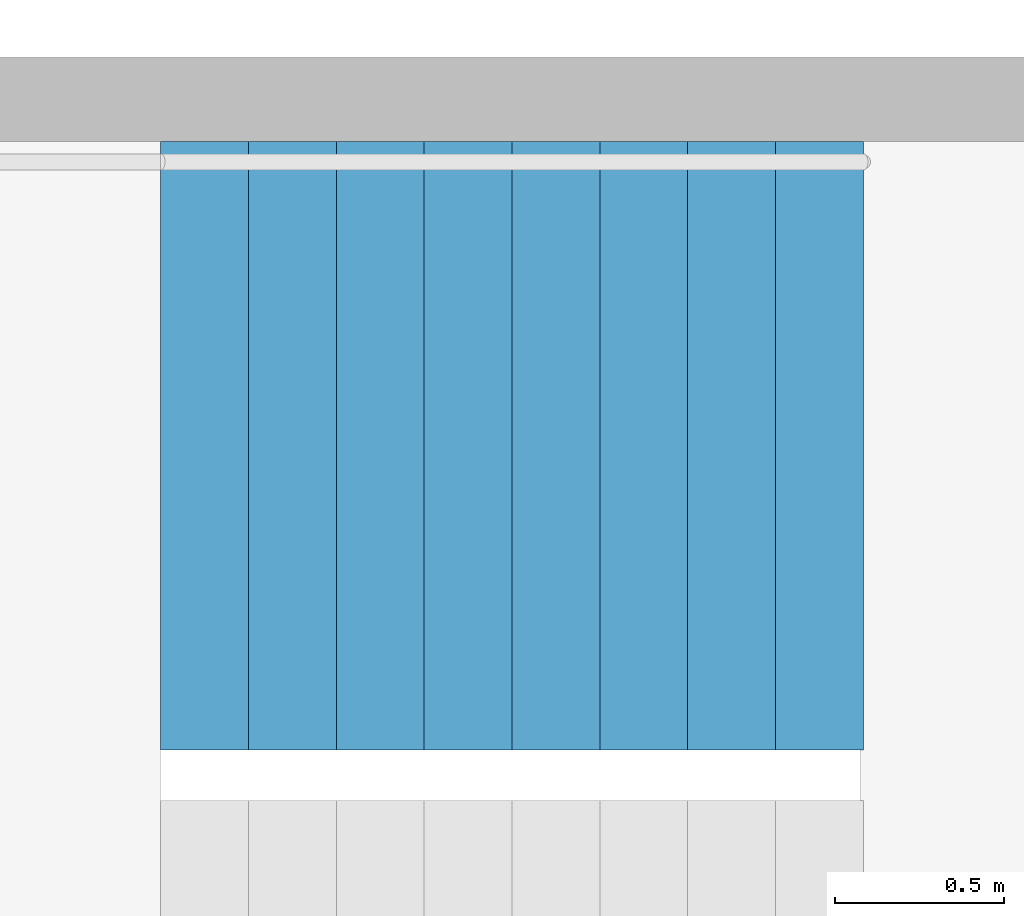
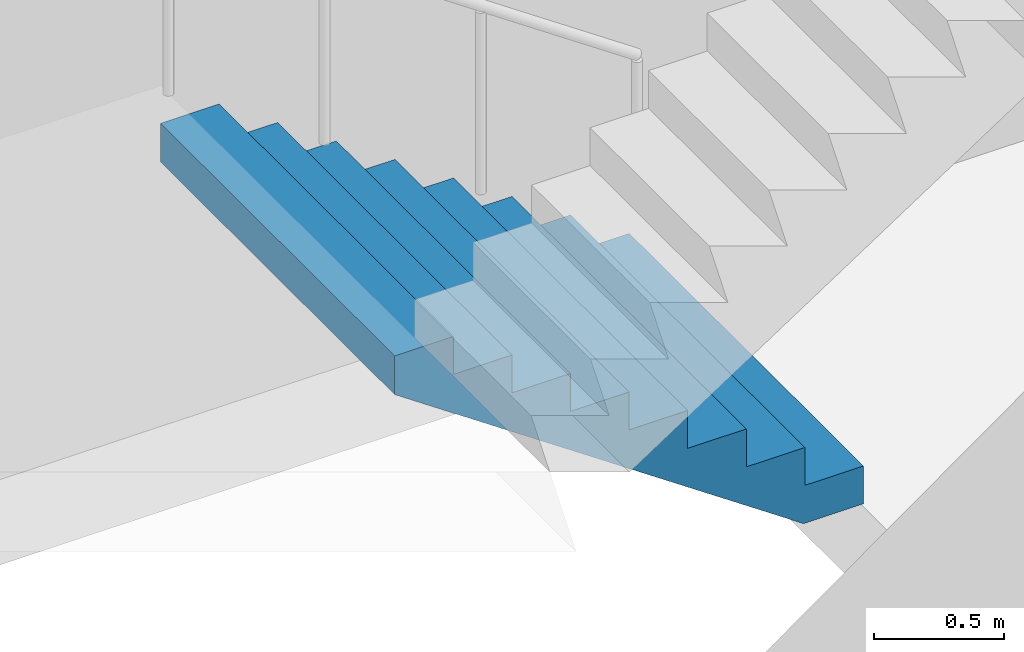
# One storey, part 22 of 29: 1 stair flight, 1 element without a shape of its own.
"""IFC4 building model written with IfcOpenShell, lengths in metres."""

from ifc_helpers import new_model, si_unit, direction, frame, origin, place, context, subcontext, project, spatial, triangles, material, type_object, element, aggregate, save


model = new_model("IFC4")

# Units and contexts
model_context = context("Model", 3, precision=1e-05, world=origin(), true_north=direction((0.0, 1.0)))
body_context = subcontext(model_context, "Body", "Model", "MODEL_VIEW")
ifc_project = project(units=[si_unit("LENGTHUNIT", "METRE"), si_unit("AREAUNIT", "SQUARE_METRE"), si_unit("VOLUMEUNIT", "CUBIC_METRE"), si_unit("PLANEANGLEUNIT", "RADIAN"), si_unit("MASSUNIT", "GRAM", prefix="KILO")], contexts=[model_context])

# Site, building, storey
site_placement = place(None, origin())
site = spatial("IfcSite", under=ifc_project, at=site_placement, CompositionType="ELEMENT")
building_placement = place(site_placement, origin())
building = spatial("IfcBuilding", under=site, at=building_placement, Name="Hakoniwa Tower and Hamabe Station Hall", CompositionType="ELEMENT")
storey_placement = place(building_placement, frame((0.0, 0.0, 110.60009765625)))
storey = spatial("IfcBuildingStorey", under=building, at=storey_placement, Name="L31", CompositionType="ELEMENT", Elevation=110.60009765625)

# Stair, stair flight
ifc_material_1 = material(Name="Concrete C40", Category="concrete")
stair_type = type_object("IfcStairType", Name="ESCAPE STAIR 1800", PredefinedType="HALF_TURN_STAIR", material=ifc_material_1)
stair_placement = place(storey_placement, origin())
stair = element("IfcStair", 1, at=stair_placement, inside=storey, type_object=stair_type, Name="Escape stair ST-2 L31", PredefinedType="HALF_TURN_STAIR")
ifc_material_2 = material(Name="Concrete C40", Category="concrete")
stair_flight_type = type_object("IfcStairFlightType", Name="STAIR FLIGHT 1800", PredefinedType="STRAIGHT", material=ifc_material_2)
stair_flight_placement = place(storey_placement, frame((-23.39990234375, -4.64990234375, 0.0), z_axis=(0.0, 0.0, 1.0), x_axis=(-1.0, 0.0, 0.0)))
stair_flight = element("IfcStairFlight", 2, at=stair_flight_placement, type_object=stair_flight_type, Name="ST-2 flight 1", NumberOfRisers=9, NumberOfTreads=8, PredefinedType="STRAIGHT", RiserHeight=0.177777778, TreadLength=0.26, context=body_context, shape_type="Tessellation", body=[
    triangles([(0.0, 0.89990234375, 0.0), (0.260009765625, 0.89990234375, 0.0), (0.265625, 0.89990234375, 0.0), (0.52001953125, 0.89990234375, 0.174072265625), (0.780029296875, 0.89990234375, 0.351806640625), (1.0400390625, 0.89990234375, 0.529541015625), (1.300048828125, 0.89990234375, 0.707275390625), (1.56005859375, 0.89990234375, 0.885009765625), (1.820068359375, 0.89990234375, 1.062744140625), (2.080078125, 0.89990234375, 1.24072265625), (2.080078125, 0.89990234375, 1.422119140625), (1.820068359375, 0.89990234375, 1.422119140625), (1.820068359375, 0.89990234375, 1.244384765625), (1.56005859375, 0.89990234375, 1.244384765625), (1.56005859375, 0.89990234375, 1.066650390625), (1.300048828125, 0.89990234375, 1.066650390625), (1.300048828125, 0.89990234375, 0.888916015625), (1.0400390625, 0.89990234375, 0.888916015625), (1.0400390625, 0.89990234375, 0.711181640625), (0.780029296875, 0.89990234375, 0.711181640625), (0.780029296875, 0.89990234375, 0.533447265625), (0.52001953125, 0.89990234375, 0.533447265625), (0.52001953125, 0.89990234375, 0.35546875), (0.265625, 0.89990234375, 0.35546875), (0.260009765625, 0.89990234375, 0.35546875), (0.260009765625, 0.89990234375, 0.177734375), (0.0, 0.89990234375, 0.177734375), (0.0, 0.06005859375, 0.0), (0.260009765625, 0.06005859375, 0.0), (0.265625, 0.06005859375, 0.0), (0.52001953125, 0.06005859375, 0.174072265625), (0.780029296875, 0.06005859375, 0.351806640625), (1.0400390625, 0.06005859375, 0.529541015625), (1.300048828125, 0.06005859375, 0.707275390625), (1.56005859375, 0.06005859375, 0.885009765625), (1.820068359375, 0.06005859375, 1.062744140625), (2.080078125, 0.06005859375, 1.24072265625), (2.080078125, 0.06005859375, 1.422119140625), (1.820068359375, 0.06005859375, 1.422119140625), (1.820068359375, 0.06005859375, 1.244384765625), (1.56005859375, 0.06005859375, 1.244384765625), (1.56005859375, 0.06005859375, 1.066650390625), (1.300048828125, 0.06005859375, 1.066650390625), (1.300048828125, 0.06005859375, 0.888916015625), (1.0400390625, 0.06005859375, 0.888916015625), (1.0400390625, 0.06005859375, 0.711181640625), (0.780029296875, 0.06005859375, 0.711181640625), (0.780029296875, 0.06005859375, 0.533447265625), (0.52001953125, 0.06005859375, 0.533447265625), (0.52001953125, 0.06005859375, 0.35546875), (0.265625, 0.06005859375, 0.35546875), (0.260009765625, 0.06005859375, 0.35546875), (0.260009765625, 0.06005859375, 0.177734375), (0.0, 0.06005859375, 0.177734375), (0.0, 0.04296875, 0.0), (0.260009765625, 0.04296875, 0.0), (0.265625, 0.04296875, 0.0), (0.52001953125, 0.04296875, 0.174072265625), (0.780029296875, 0.04296875, 0.351806640625), (1.0400390625, 0.04296875, 0.529541015625), (1.300048828125, 0.04296875, 0.707275390625), (1.56005859375, 0.04296875, 0.885009765625), (1.820068359375, 0.04296875, 1.062744140625), (2.080078125, 0.04296875, 1.24072265625), (2.080078125, 0.04296875, 1.422119140625), (1.820068359375, 0.04296875, 1.422119140625), (1.820068359375, 0.04296875, 1.244384765625), (1.56005859375, 0.04296875, 1.244384765625), (1.56005859375, 0.04296875, 1.066650390625), (1.300048828125, 0.04296875, 1.066650390625), (1.300048828125, 0.04296875, 0.888916015625), (1.0400390625, 0.04296875, 0.888916015625), (1.0400390625, 0.04296875, 0.711181640625), (0.780029296875, 0.04296875, 0.711181640625), (0.780029296875, 0.04296875, 0.533447265625), (0.52001953125, 0.04296875, 0.533447265625), (0.52001953125, 0.04296875, 0.35546875), (0.265625, 0.04296875, 0.35546875), (0.260009765625, 0.04296875, 0.35546875), (0.260009765625, 0.04296875, 0.177734375), (0.0, 0.04296875, 0.177734375), (0.0, 0.025634765625, 0.0), (0.260009765625, 0.025634765625, 0.0), (0.265625, 0.025634765625, 0.0), (0.52001953125, 0.025634765625, 0.174072265625), (0.780029296875, 0.025634765625, 0.351806640625), (1.0400390625, 0.025634765625, 0.529541015625), (1.300048828125, 0.025634765625, 0.707275390625), (1.56005859375, 0.025634765625, 0.885009765625), (1.820068359375, 0.025634765625, 1.062744140625), (2.080078125, 0.025634765625, 1.24072265625), (2.080078125, 0.025634765625, 1.422119140625), (1.820068359375, 0.025634765625, 1.422119140625), (1.820068359375, 0.025634765625, 1.244384765625), (1.56005859375, 0.025634765625, 1.244384765625), (1.56005859375, 0.025634765625, 1.066650390625), (1.300048828125, 0.025634765625, 1.066650390625), (1.300048828125, 0.025634765625, 0.888916015625), (1.0400390625, 0.025634765625, 0.888916015625), (1.0400390625, 0.025634765625, 0.711181640625), (0.780029296875, 0.025634765625, 0.711181640625), (0.780029296875, 0.025634765625, 0.533447265625), (0.52001953125, 0.025634765625, 0.533447265625), (0.52001953125, 0.025634765625, 0.35546875), (0.265625, 0.025634765625, 0.35546875), (0.260009765625, 0.025634765625, 0.35546875), (0.260009765625, 0.025634765625, 0.177734375), (0.0, 0.025634765625, 0.177734375), (0.0, 0.008544921875, 0.0), (0.260009765625, 0.008544921875, 0.0), (0.265625, 0.008544921875, 0.0), (0.52001953125, 0.008544921875, 0.174072265625), (0.780029296875, 0.008544921875, 0.351806640625), (1.0400390625, 0.008544921875, 0.529541015625), (1.300048828125, 0.008544921875, 0.707275390625), (1.56005859375, 0.008544921875, 0.885009765625), (1.820068359375, 0.008544921875, 1.062744140625), (2.080078125, 0.008544921875, 1.24072265625), (2.080078125, 0.008544921875, 1.422119140625), (1.820068359375, 0.008544921875, 1.422119140625), (1.820068359375, 0.008544921875, 1.244384765625), (1.56005859375, 0.008544921875, 1.244384765625), (1.56005859375, 0.008544921875, 1.066650390625), (1.300048828125, 0.008544921875, 1.066650390625), (1.300048828125, 0.008544921875, 0.888916015625), (1.0400390625, 0.008544921875, 0.888916015625), (1.0400390625, 0.008544921875, 0.711181640625), (0.780029296875, 0.008544921875, 0.711181640625), (0.780029296875, 0.008544921875, 0.533447265625), (0.52001953125, 0.008544921875, 0.533447265625), (0.52001953125, 0.008544921875, 0.35546875), (0.265625, 0.008544921875, 0.35546875), (0.260009765625, 0.008544921875, 0.35546875), (0.260009765625, 0.008544921875, 0.177734375), (0.0, 0.008544921875, 0.177734375), (0.0, -0.008544921875, 0.0), (0.260009765625, -0.008544921875, 0.0), (0.265625, -0.008544921875, 0.0), (0.52001953125, -0.008544921875, 0.174072265625), (0.780029296875, -0.008544921875, 0.351806640625), (1.0400390625, -0.008544921875, 0.529541015625), (1.300048828125, -0.008544921875, 0.707275390625), (1.56005859375, -0.008544921875, 0.885009765625), (1.820068359375, -0.008544921875, 1.062744140625), (2.080078125, -0.008544921875, 1.24072265625), (2.080078125, -0.008544921875, 1.422119140625), (1.820068359375, -0.008544921875, 1.422119140625), (1.820068359375, -0.008544921875, 1.244384765625), (1.56005859375, -0.008544921875, 1.244384765625), (1.56005859375, -0.008544921875, 1.066650390625), (1.300048828125, -0.008544921875, 1.066650390625), (1.300048828125, -0.008544921875, 0.888916015625), (1.0400390625, -0.008544921875, 0.888916015625), (1.0400390625, -0.008544921875, 0.711181640625), (0.780029296875, -0.008544921875, 0.711181640625), (0.780029296875, -0.008544921875, 0.533447265625), (0.52001953125, -0.008544921875, 0.533447265625), (0.52001953125, -0.008544921875, 0.35546875), (0.265625, -0.008544921875, 0.35546875), (0.260009765625, -0.008544921875, 0.35546875), (0.260009765625, -0.008544921875, 0.177734375), (0.0, -0.008544921875, 0.177734375), (0.0, -0.025634765625, 0.0), (0.260009765625, -0.025634765625, 0.0), (0.265625, -0.025634765625, 0.0), (0.52001953125, -0.025634765625, 0.174072265625), (0.780029296875, -0.025634765625, 0.351806640625), (1.0400390625, -0.025634765625, 0.529541015625), (1.300048828125, -0.025634765625, 0.707275390625), (1.56005859375, -0.025634765625, 0.885009765625), (1.820068359375, -0.025634765625, 1.062744140625), (2.080078125, -0.025634765625, 1.24072265625), (2.080078125, -0.025634765625, 1.422119140625), (1.820068359375, -0.025634765625, 1.422119140625), (1.820068359375, -0.025634765625, 1.244384765625), (1.56005859375, -0.025634765625, 1.244384765625), (1.56005859375, -0.025634765625, 1.066650390625), (1.300048828125, -0.025634765625, 1.066650390625), (1.300048828125, -0.025634765625, 0.888916015625), (1.0400390625, -0.025634765625, 0.888916015625), (1.0400390625, -0.025634765625, 0.711181640625), (0.780029296875, -0.025634765625, 0.711181640625), (0.780029296875, -0.025634765625, 0.533447265625), (0.52001953125, -0.025634765625, 0.533447265625), (0.52001953125, -0.025634765625, 0.35546875), (0.265625, -0.025634765625, 0.35546875), (0.260009765625, -0.025634765625, 0.35546875), (0.260009765625, -0.025634765625, 0.177734375), (0.0, -0.025634765625, 0.177734375), (0.0, -0.04296875, 0.0), (0.260009765625, -0.04296875, 0.0), (0.265625, -0.04296875, 0.0), (0.52001953125, -0.04296875, 0.174072265625), (0.780029296875, -0.04296875, 0.351806640625), (1.0400390625, -0.04296875, 0.529541015625), (1.300048828125, -0.04296875, 0.707275390625), (1.56005859375, -0.04296875, 0.885009765625), (1.820068359375, -0.04296875, 1.062744140625), (2.080078125, -0.04296875, 1.24072265625), (2.080078125, -0.04296875, 1.422119140625), (1.820068359375, -0.04296875, 1.422119140625), (1.820068359375, -0.04296875, 1.244384765625), (1.56005859375, -0.04296875, 1.244384765625), (1.56005859375, -0.04296875, 1.066650390625), (1.300048828125, -0.04296875, 1.066650390625), (1.300048828125, -0.04296875, 0.888916015625), (1.0400390625, -0.04296875, 0.888916015625), (1.0400390625, -0.04296875, 0.711181640625), (0.780029296875, -0.04296875, 0.711181640625), (0.780029296875, -0.04296875, 0.533447265625), (0.52001953125, -0.04296875, 0.533447265625), (0.52001953125, -0.04296875, 0.35546875), (0.265625, -0.04296875, 0.35546875), (0.260009765625, -0.04296875, 0.35546875), (0.260009765625, -0.04296875, 0.177734375), (0.0, -0.04296875, 0.177734375), (0.0, -0.06005859375, 0.0), (0.260009765625, -0.06005859375, 0.0), (0.265625, -0.06005859375, 0.0), (0.52001953125, -0.06005859375, 0.174072265625), (0.780029296875, -0.06005859375, 0.351806640625), (1.0400390625, -0.06005859375, 0.529541015625), (1.300048828125, -0.06005859375, 0.707275390625), (1.56005859375, -0.06005859375, 0.885009765625), (1.820068359375, -0.06005859375, 1.062744140625), (2.080078125, -0.06005859375, 1.24072265625), (2.080078125, -0.06005859375, 1.422119140625), (1.820068359375, -0.06005859375, 1.422119140625), (1.820068359375, -0.06005859375, 1.244384765625), (1.56005859375, -0.06005859375, 1.244384765625), (1.56005859375, -0.06005859375, 1.066650390625), (1.300048828125, -0.06005859375, 1.066650390625), (1.300048828125, -0.06005859375, 0.888916015625), (1.0400390625, -0.06005859375, 0.888916015625), (1.0400390625, -0.06005859375, 0.711181640625), (0.780029296875, -0.06005859375, 0.711181640625), (0.780029296875, -0.06005859375, 0.533447265625), (0.52001953125, -0.06005859375, 0.533447265625), (0.52001953125, -0.06005859375, 0.35546875), (0.265625, -0.06005859375, 0.35546875), (0.260009765625, -0.06005859375, 0.35546875), (0.260009765625, -0.06005859375, 0.177734375), (0.0, -0.06005859375, 0.177734375), (0.0, -0.89990234375, 0.0), (0.260009765625, -0.89990234375, 0.0), (0.265625, -0.89990234375, 0.0), (0.52001953125, -0.89990234375, 0.174072265625), (0.780029296875, -0.89990234375, 0.351806640625), (1.0400390625, -0.89990234375, 0.529541015625), (1.300048828125, -0.89990234375, 0.707275390625), (1.56005859375, -0.89990234375, 0.885009765625), (1.820068359375, -0.89990234375, 1.062744140625), (2.080078125, -0.89990234375, 1.24072265625), (2.080078125, -0.89990234375, 1.422119140625), (1.820068359375, -0.89990234375, 1.422119140625), (1.820068359375, -0.89990234375, 1.244384765625), (1.56005859375, -0.89990234375, 1.244384765625), (1.56005859375, -0.89990234375, 1.066650390625), (1.300048828125, -0.89990234375, 1.066650390625), (1.300048828125, -0.89990234375, 0.888916015625), (1.0400390625, -0.89990234375, 0.888916015625), (1.0400390625, -0.89990234375, 0.711181640625), (0.780029296875, -0.89990234375, 0.711181640625), (0.780029296875, -0.89990234375, 0.533447265625), (0.52001953125, -0.89990234375, 0.533447265625), (0.52001953125, -0.89990234375, 0.35546875), (0.265625, -0.89990234375, 0.35546875), (0.260009765625, -0.89990234375, 0.35546875), (0.260009765625, -0.89990234375, 0.177734375), (0.0, -0.89990234375, 0.177734375)], [[2, 27, 26], [245, 269, 270], [2, 1, 27], [245, 270, 244], [3, 25, 24], [246, 267, 268], [3, 26, 25], [246, 268, 269], [3, 2, 26], [246, 269, 245], [4, 24, 23], [247, 266, 267], [4, 3, 24], [247, 267, 246], [5, 22, 21], [248, 264, 265], [5, 23, 22], [248, 265, 266], [5, 4, 23], [248, 266, 247], [6, 20, 19], [249, 262, 263], [6, 21, 20], [249, 263, 264], [6, 5, 21], [249, 264, 248], [7, 18, 17], [250, 260, 261], [7, 19, 18], [250, 261, 262], [7, 6, 19], [250, 262, 249], [8, 16, 15], [251, 258, 259], [8, 17, 16], [251, 259, 260], [8, 7, 17], [251, 260, 250], [9, 14, 13], [252, 256, 257], [9, 15, 14], [252, 257, 258], [9, 8, 15], [252, 258, 251], [10, 12, 11], [253, 254, 255], [10, 13, 12], [253, 255, 256], [10, 9, 13], [253, 256, 252], [1, 2, 29], [1, 29, 28], [28, 29, 56], [28, 56, 55], [55, 56, 83], [55, 83, 82], [82, 83, 110], [82, 110, 109], [109, 110, 137], [109, 137, 136], [136, 137, 164], [136, 164, 163], [163, 164, 191], [163, 191, 190], [190, 191, 218], [190, 218, 217], [217, 218, 245], [217, 245, 244], [2, 3, 30], [2, 30, 29], [29, 30, 57], [29, 57, 56], [56, 57, 84], [56, 84, 83], [83, 84, 111], [83, 111, 110], [110, 111, 138], [110, 138, 137], [137, 138, 165], [137, 165, 164], [164, 165, 192], [164, 192, 191], [191, 192, 219], [191, 219, 218], [218, 219, 246], [218, 246, 245], [3, 4, 31], [3, 31, 30], [30, 31, 58], [30, 58, 57], [57, 58, 85], [57, 85, 84], [84, 85, 112], [84, 112, 111], [111, 112, 139], [111, 139, 138], [138, 139, 166], [138, 166, 165], [165, 166, 193], [165, 193, 192], [192, 193, 220], [192, 220, 219], [219, 220, 247], [219, 247, 246], [4, 5, 32], [4, 32, 31], [31, 32, 59], [31, 59, 58], [58, 59, 86], [58, 86, 85], [85, 86, 113], [85, 113, 112], [112, 113, 140], [112, 140, 139], [139, 140, 167], [139, 167, 166], [166, 167, 194], [166, 194, 193], [193, 194, 221], [193, 221, 220], [220, 221, 248], [220, 248, 247], [5, 6, 33], [5, 33, 32], [32, 33, 60], [32, 60, 59], [59, 60, 87], [59, 87, 86], [86, 87, 114], [86, 114, 113], [113, 114, 141], [113, 141, 140], [140, 141, 168], [140, 168, 167], [167, 168, 195], [167, 195, 194], [194, 195, 222], [194, 222, 221], [221, 222, 249], [221, 249, 248], [6, 7, 34], [6, 34, 33], [33, 34, 61], [33, 61, 60], [60, 61, 88], [60, 88, 87], [87, 88, 115], [87, 115, 114], [114, 115, 142], [114, 142, 141], [141, 142, 169], [141, 169, 168], [168, 169, 196], [168, 196, 195], [195, 196, 223], [195, 223, 222], [222, 223, 250], [222, 250, 249], [7, 8, 35], [7, 35, 34], [34, 35, 62], [34, 62, 61], [61, 62, 89], [61, 89, 88], [88, 89, 116], [88, 116, 115], [115, 116, 143], [115, 143, 142], [142, 143, 170], [142, 170, 169], [169, 170, 197], [169, 197, 196], [196, 197, 224], [196, 224, 223], [223, 224, 251], [223, 251, 250], [8, 9, 36], [8, 36, 35], [35, 36, 63], [35, 63, 62], [62, 63, 90], [62, 90, 89], [89, 90, 117], [89, 117, 116], [116, 117, 144], [116, 144, 143], [143, 144, 171], [143, 171, 170], [170, 171, 198], [170, 198, 197], [197, 198, 225], [197, 225, 224], [224, 225, 252], [224, 252, 251], [9, 10, 37], [9, 37, 36], [36, 37, 64], [36, 64, 63], [63, 64, 91], [63, 91, 90], [90, 91, 118], [90, 118, 117], [117, 118, 145], [117, 145, 144], [144, 145, 172], [144, 172, 171], [171, 172, 199], [171, 199, 198], [198, 199, 226], [198, 226, 225], [225, 226, 253], [225, 253, 252], [10, 11, 38], [10, 38, 37], [37, 38, 65], [37, 65, 64], [64, 65, 92], [64, 92, 91], [91, 92, 119], [91, 119, 118], [118, 119, 146], [118, 146, 145], [145, 146, 173], [145, 173, 172], [172, 173, 200], [172, 200, 199], [199, 200, 227], [199, 227, 226], [226, 227, 254], [226, 254, 253], [11, 12, 39], [11, 39, 38], [38, 39, 66], [38, 66, 65], [65, 66, 93], [65, 93, 92], [92, 93, 120], [92, 120, 119], [119, 120, 147], [119, 147, 146], [146, 147, 174], [146, 174, 173], [173, 174, 201], [173, 201, 200], [200, 201, 228], [200, 228, 227], [227, 228, 255], [227, 255, 254], [12, 13, 40], [12, 40, 39], [39, 40, 67], [39, 67, 66], [66, 67, 94], [66, 94, 93], [93, 94, 121], [93, 121, 120], [120, 121, 148], [120, 148, 147], [147, 148, 175], [147, 175, 174], [174, 175, 202], [174, 202, 201], [201, 202, 229], [201, 229, 228], [228, 229, 256], [228, 256, 255], [13, 14, 41], [13, 41, 40], [40, 41, 68], [40, 68, 67], [67, 68, 95], [67, 95, 94], [94, 95, 122], [94, 122, 121], [121, 122, 149], [121, 149, 148], [148, 149, 176], [148, 176, 175], [175, 176, 203], [175, 203, 202], [202, 203, 230], [202, 230, 229], [229, 230, 257], [229, 257, 256], [14, 15, 42], [14, 42, 41], [41, 42, 69], [41, 69, 68], [68, 69, 96], [68, 96, 95], [95, 96, 123], [95, 123, 122], [122, 123, 150], [122, 150, 149], [149, 150, 177], [149, 177, 176], [176, 177, 204], [176, 204, 203], [203, 204, 231], [203, 231, 230], [230, 231, 258], [230, 258, 257], [15, 16, 43], [15, 43, 42], [42, 43, 70], [42, 70, 69], [69, 70, 97], [69, 97, 96], [96, 97, 124], [96, 124, 123], [123, 124, 151], [123, 151, 150], [150, 151, 178], [150, 178, 177], [177, 178, 205], [177, 205, 204], [204, 205, 232], [204, 232, 231], [231, 232, 259], [231, 259, 258], [16, 17, 44], [16, 44, 43], [43, 44, 71], [43, 71, 70], [70, 71, 98], [70, 98, 97], [97, 98, 125], [97, 125, 124], [124, 125, 152], [124, 152, 151], [151, 152, 179], [151, 179, 178], [178, 179, 206], [178, 206, 205], [205, 206, 233], [205, 233, 232], [232, 233, 260], [232, 260, 259], [17, 18, 45], [17, 45, 44], [44, 45, 72], [44, 72, 71], [71, 72, 99], [71, 99, 98], [98, 99, 126], [98, 126, 125], [125, 126, 153], [125, 153, 152], [152, 153, 180], [152, 180, 179], [179, 180, 207], [179, 207, 206], [206, 207, 234], [206, 234, 233], [233, 234, 261], [233, 261, 260], [18, 19, 46], [18, 46, 45], [45, 46, 73], [45, 73, 72], [72, 73, 100], [72, 100, 99], [99, 100, 127], [99, 127, 126], [126, 127, 154], [126, 154, 153], [153, 154, 181], [153, 181, 180], [180, 181, 208], [180, 208, 207], [207, 208, 235], [207, 235, 234], [234, 235, 262], [234, 262, 261], [19, 20, 47], [19, 47, 46], [46, 47, 74], [46, 74, 73], [73, 74, 101], [73, 101, 100], [100, 101, 128], [100, 128, 127], [127, 128, 155], [127, 155, 154], [154, 155, 182], [154, 182, 181], [181, 182, 209], [181, 209, 208], [208, 209, 236], [208, 236, 235], [235, 236, 263], [235, 263, 262], [20, 21, 48], [20, 48, 47], [47, 48, 75], [47, 75, 74], [74, 75, 102], [74, 102, 101], [101, 102, 129], [101, 129, 128], [128, 129, 156], [128, 156, 155], [155, 156, 183], [155, 183, 182], [182, 183, 210], [182, 210, 209], [209, 210, 237], [209, 237, 236], [236, 237, 264], [236, 264, 263], [21, 22, 49], [21, 49, 48], [48, 49, 76], [48, 76, 75], [75, 76, 103], [75, 103, 102], [102, 103, 130], [102, 130, 129], [129, 130, 157], [129, 157, 156], [156, 157, 184], [156, 184, 183], [183, 184, 211], [183, 211, 210], [210, 211, 238], [210, 238, 237], [237, 238, 265], [237, 265, 264], [22, 23, 50], [22, 50, 49], [49, 50, 77], [49, 77, 76], [76, 77, 104], [76, 104, 103], [103, 104, 131], [103, 131, 130], [130, 131, 158], [130, 158, 157], [157, 158, 185], [157, 185, 184], [184, 185, 212], [184, 212, 211], [211, 212, 239], [211, 239, 238], [238, 239, 266], [238, 266, 265], [23, 24, 51], [23, 51, 50], [50, 51, 78], [50, 78, 77], [77, 78, 105], [77, 105, 104], [104, 105, 132], [104, 132, 131], [131, 132, 159], [131, 159, 158], [158, 159, 186], [158, 186, 185], [185, 186, 213], [185, 213, 212], [212, 213, 240], [212, 240, 239], [239, 240, 267], [239, 267, 266], [24, 25, 52], [24, 52, 51], [51, 52, 79], [51, 79, 78], [78, 79, 106], [78, 106, 105], [105, 106, 133], [105, 133, 132], [132, 133, 160], [132, 160, 159], [159, 160, 187], [159, 187, 186], [186, 187, 214], [186, 214, 213], [213, 214, 241], [213, 241, 240], [240, 241, 268], [240, 268, 267], [25, 26, 53], [25, 53, 52], [52, 53, 80], [52, 80, 79], [79, 80, 107], [79, 107, 106], [106, 107, 134], [106, 134, 133], [133, 134, 161], [133, 161, 160], [160, 161, 188], [160, 188, 187], [187, 188, 215], [187, 215, 214], [214, 215, 242], [214, 242, 241], [241, 242, 269], [241, 269, 268], [26, 27, 54], [26, 54, 53], [53, 54, 81], [53, 81, 80], [80, 81, 108], [80, 108, 107], [107, 108, 135], [107, 135, 134], [134, 135, 162], [134, 162, 161], [161, 162, 189], [161, 189, 188], [188, 189, 216], [188, 216, 215], [215, 216, 243], [215, 243, 242], [242, 243, 270], [242, 270, 269], [27, 1, 28], [27, 28, 54], [54, 28, 55], [54, 55, 81], [81, 55, 82], [81, 82, 108], [108, 82, 109], [108, 109, 135], [135, 109, 136], [135, 136, 162], [162, 136, 163], [162, 163, 189], [189, 163, 190], [189, 190, 216], [216, 190, 217], [216, 217, 243], [243, 217, 244], [243, 244, 270]], closed=True),
])
aggregate(stair, [stair_flight])

save(model, "model.ifc")
